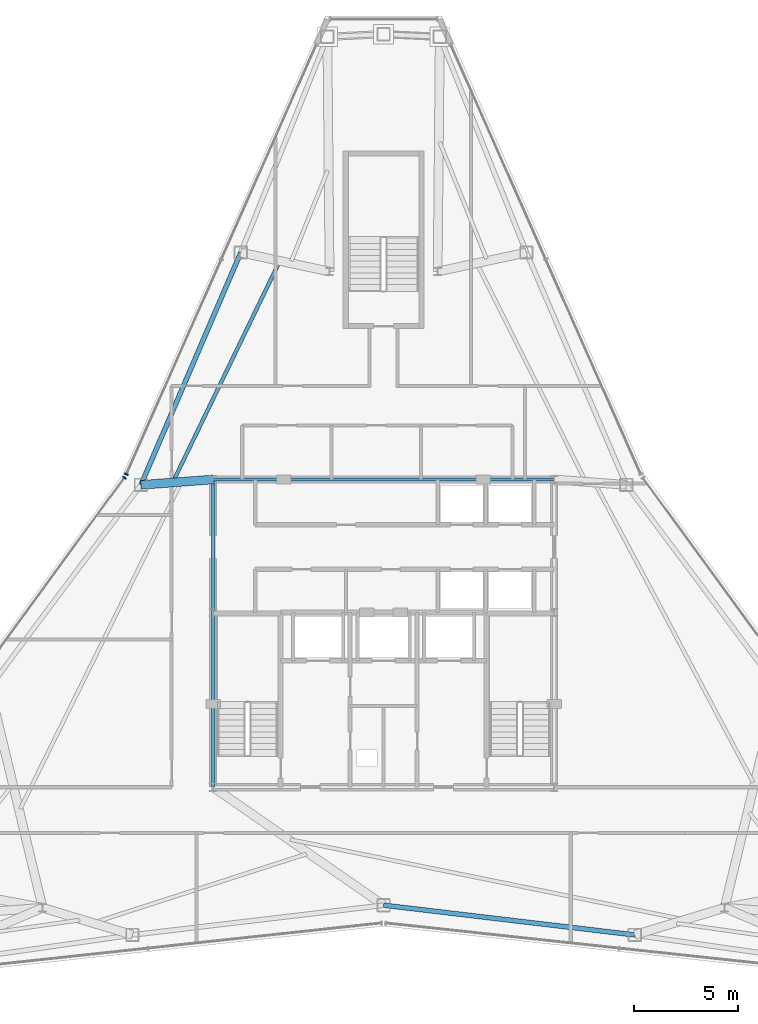
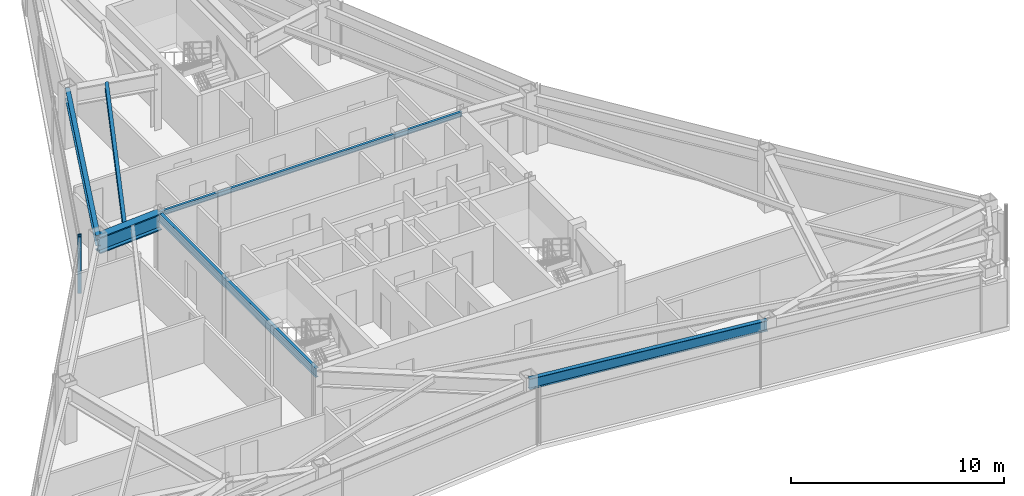
# One storey, part 5 of 12: 6 beams, 2 members, 2 elements without a shape of their own.
"""IFC4 building model written with IfcOpenShell, lengths in metres."""

from ifc_helpers import new_model, si_unit, direction, frame, origin, origin_2d, place, context, subcontext, project, spatial, rectangle, i_section, extrude, source, transform, mapped, material, layer, layer_set, material_profile, profile_set, type_object, type_shapes, element, aggregate, save


model = new_model("IFC4")

# Units and contexts
model_context = context("Model", 3, precision=1e-05, world=origin(), true_north=direction((0.0, 1.0)))
body_context = subcontext(model_context, "Body", "Model", "MODEL_VIEW")
ifc_project = project(units=[si_unit("LENGTHUNIT", "METRE"), si_unit("AREAUNIT", "SQUARE_METRE"), si_unit("VOLUMEUNIT", "CUBIC_METRE"), si_unit("PLANEANGLEUNIT", "RADIAN"), si_unit("MASSUNIT", "GRAM", prefix="KILO")], contexts=[model_context])

# Site, building, storey
site_placement = place(None, origin())
site = spatial("IfcSite", under=ifc_project, at=site_placement, CompositionType="ELEMENT")
building_placement = place(site_placement, origin())
building = spatial("IfcBuilding", under=site, at=building_placement, Name="Varakhsha Concourse Tower", CompositionType="ELEMENT")
storey_placement = place(building_placement, frame((0.0, 0.0, 265.5)))
storey = spatial("IfcBuildingStorey", under=building, at=storey_placement, Name="L75", CompositionType="ELEMENT", Elevation=265.5)

# Beams
ifc_material_1 = material(Name="Structural Steel ASTM A992 Grade 50", Category="steel")
ifc_material_profile_1 = material_profile(ifc_material_1, i_section(OverallWidth=0.177978515625, OverallDepth=0.406982421875, WebThickness=0.008056640625, FlangeThickness=0.012939453125, at=origin_2d()), Name="W16X40")
ifc_profile_set_1 = profile_set([ifc_material_profile_1], Name="Structural Steel ASTM A992 Grade 50")
beam_type_1 = type_object("IfcBeamType", Name="BM-JST-W16X40", PredefinedType="JOIST", material=ifc_profile_set_1)
beam_1_placement = place(storey_placement, frame((34.961669921875, 41.61328125, 3.04638671875), z_axis=(-0.435273123438, -0.900298454965, 0.0), x_axis=(0.900298454965, -0.435273123438, 0.0)))
element("IfcBeam", 1, at=beam_1_placement, inside=storey, type_object=beam_type_1, Name="BM-TJST-L75-04", PredefinedType="JOIST", context=body_context, shape_type="SweptSolid", body=[
    extrude(i_section(OverallWidth=0.177978515625, OverallDepth=0.406982421875, WebThickness=0.008056640625, FlangeThickness=0.012939453125, at=origin_2d()), origin(), (0.0, 0.0, 1.0), 11.619384765625),
])
ifc_material_profile_2 = material_profile(ifc_material_1, i_section(OverallWidth=0.14697265625, OverallDepth=0.261962890625, WebThickness=0.007080078125, FlangeThickness=0.010986328125, at=origin_2d()), Name="W10X26")
ifc_profile_set_2 = profile_set([ifc_material_profile_2], Name="Structural Steel ASTM A992 Grade 50")
beam_type_2 = type_object("IfcBeamType", Name="BM-LNTL-W10X26", PredefinedType="LINTEL", material=ifc_profile_set_2)
beam_2_placement = place(storey_placement, frame((31.800048828125, 31.199951171875, 3.118896484375), z_axis=(1.0, 0.0, 0.0), x_axis=(0.0, 1.0, 0.0)))
element("IfcBeam", 2, at=beam_2_placement, inside=storey, type_object=beam_type_2, Name="BM-TCORE-L75-CN", PredefinedType="LINTEL", context=body_context, shape_type="SweptSolid", body=[
    extrude(i_section(OverallWidth=0.14697265625, OverallDepth=0.261962890625, WebThickness=0.007080078125, FlangeThickness=0.010986328125, at=origin_2d()), origin(), (0.0, 0.0, 1.0), 16.39990234375),
])
ifc_material_profile_3 = material_profile(ifc_material_1, i_section(OverallWidth=0.423095703125, OverallDepth=0.947998046875, WebThickness=0.0380859375, FlangeThickness=0.06396484375, at=origin_2d()), Name="W36X302")
ifc_profile_set_3 = profile_set([ifc_material_profile_3], Name="Structural Steel ASTM A992 Grade 50")
beam_type_3 = type_object("IfcBeamType", Name="BM-OUTR-W36X302", PredefinedType="USERDEFINED", material=ifc_profile_set_3)
beam_3_placement = place(storey_placement, frame((31.800048828125, 31.199951171875, 2.77587890625), z_axis=(-0.997169282372, -0.075189243209, 0.0), x_axis=(0.075189243209, -0.997169282372, 0.0)))
element("IfcBeam", 3, at=beam_3_placement, inside=storey, type_object=beam_type_3, Name="L75 Radial Floor Girder 05", ObjectType="GIRDER", PredefinedType="USERDEFINED", context=body_context, shape_type="SweptSolid", body=[
    extrude(i_section(OverallWidth=0.423095703125, OverallDepth=0.947998046875, WebThickness=0.0380859375, FlangeThickness=0.06396484375, at=origin_2d()), origin(), (0.0, 0.0, 1.0), 3.480712890625),
])
ifc_material_profile_4 = material_profile(ifc_material_1, i_section(OverallWidth=0.1669921875, OverallDepth=0.534912109375, WebThickness=0.010009765625, FlangeThickness=0.01708984375, at=origin_2d()), Name="W21X57")
ifc_profile_set_4 = profile_set([ifc_material_profile_4], Name="Structural Steel ASTM A992 Grade 50")
beam_type_4 = type_object("IfcBeamType", Name="BM-RAD-W21X57", PredefinedType="BEAM", material=ifc_profile_set_4)
beam_4_placement = place(storey_placement, frame((31.800048828125, 16.39990234375, 2.982421875), z_axis=(0.0, 1.0, 0.0), x_axis=(-1.0, 0.0, 0.0)))
element("IfcBeam", 4, at=beam_4_placement, inside=storey, type_object=beam_type_4, Name="BM-TCORE-L75-CW", PredefinedType="BEAM", context=body_context, shape_type="SweptSolid", body=[
    extrude(i_section(OverallWidth=0.1669921875, OverallDepth=0.534912109375, WebThickness=0.010009765625, FlangeThickness=0.01708984375, at=origin_2d()), origin(), (0.0, 0.0, 1.0), 14.800048828125),
])
ifc_material_profile_5 = material_profile(ifc_material_1, i_section(OverallWidth=0.22900390625, OverallDepth=0.612060546875, WebThickness=0.011962890625, FlangeThickness=0.02001953125, at=origin_2d()), Name="W24X84")
ifc_profile_set_5 = profile_set([ifc_material_profile_5], Name="Structural Steel ASTM A992 Grade 50")
beam_type_5 = type_object("IfcBeamType", Name="BM-SPAN-W24X84", PredefinedType="SPANDREL", material=ifc_profile_set_5)
for number, where, z_axis, x_axis, name in (
    (5, (33.131103515625, 42.11474609375, 2.944091796875), (-0.394757231192, -0.918785463763, 0.0), (0.918785463763, -0.394757231192, 0.0), "BM-SPAN-L75-04"),
    (6, (40.0, 10.7236328125, 2.944091796875), (0.993069539855, -0.117528247719, 0.0), (0.117528247719, 0.993069539855, 0.0), "BM-SPAN-L75-11"),
):
    element("IfcBeam", number, at=place(storey_placement, frame(where, z_axis=z_axis, x_axis=x_axis)), inside=storey, type_object=beam_type_5, Name=name, PredefinedType="SPANDREL", context=body_context, shape_type="SweptSolid", body=[
        extrude(i_section(OverallWidth=0.22900390625, OverallDepth=0.612060546875, WebThickness=0.011962890625, FlangeThickness=0.02001953125, at=origin_2d()), origin(), (0.0, 0.0, 1.0), 12.16455078125),
    ])

# Curtain wall, member
ifc_material_2 = material(Name="Anodised Bronze Architectural Aluminium AA 6063-T6", Category="aluminium")
ifc_layer = layer(ifc_material_2, 0.199951171875, Name="CW-SYS-05")
ifc_layer_set = layer_set([ifc_layer], Name="Anodised Bronze Architectural Aluminium AA 6063-T6")
curtain_wall_type = type_object("IfcCurtainWallType", Name="CW-SYS-05", PredefinedType="NOTDEFINED", material=ifc_layer_set)
curtain_wall_1_placement = place(storey_placement, origin())
curtain_wall_1 = element("IfcCurtainWall", 7, at=curtain_wall_1_placement, inside=storey, type_object=curtain_wall_type, Name="L75 Crystal Curtain Wall F2", PredefinedType="NOTDEFINED")
ifc_material_profile_6 = material_profile(ifc_material_2, rectangle(XDim=0.06494140625, YDim=0.179931640625, at=origin_2d()), Name="CWM-180X65")
ifc_profile_set_6 = profile_set([ifc_material_profile_6], Name="Anodised Bronze Architectural Aluminium AA 6063-T6")
member_type = type_object("IfcMemberType", Name="CWM-180X65", PredefinedType="MULLION", material=ifc_profile_set_6)
shared_shape = source(origin(), body_context, "Body", "SweptSolid", [
    extrude(rectangle(XDim=0.06494140625, YDim=0.179931640625, at=origin_2d()), origin(), (0.0, 0.0, 1.0), 3.25),
])
type_shapes(member_type, [shared_shape])
member_1_placement = place(storey_placement, frame((27.63134765625, 31.45263671875, 0.0), z_axis=(0.0, 0.0, 1.0), x_axis=(0.404273357549, 0.914638208461, 0.0)))
member_1 = element("IfcMember", 8, at=member_1_placement, type_object=member_type, Name="CW-L75-F2 Mullion 00", PredefinedType="MULLION", context=body_context, shape_type="MappedRepresentation", body=[
    mapped(shared_shape, transform((0.0, 0.0, 0.0), scale=1.0)),
])
aggregate(curtain_wall_1, [member_1])

curtain_wall_2_placement = place(storey_placement, origin())
curtain_wall_2 = element("IfcCurtainWall", 9, at=curtain_wall_2_placement, inside=storey, type_object=curtain_wall_type, Name="L75 Crystal Curtain Wall F3", PredefinedType="NOTDEFINED")
member_2_placement = place(storey_placement, frame((27.53466796875, 31.28515625, 0.0), z_axis=(0.0, 0.0, 1.0), x_axis=(0.589960426558, 0.807432161296, 0.0)))
member_2 = element("IfcMember", 10, at=member_2_placement, type_object=member_type, Name="CW-L75-F3 Mullion 02", PredefinedType="MULLION", context=body_context, shape_type="MappedRepresentation", body=[
    mapped(shared_shape, transform((0.0, 0.0, 0.0), scale=1.0)),
])
aggregate(curtain_wall_2, [member_2])

save(model, "model.ifc")
